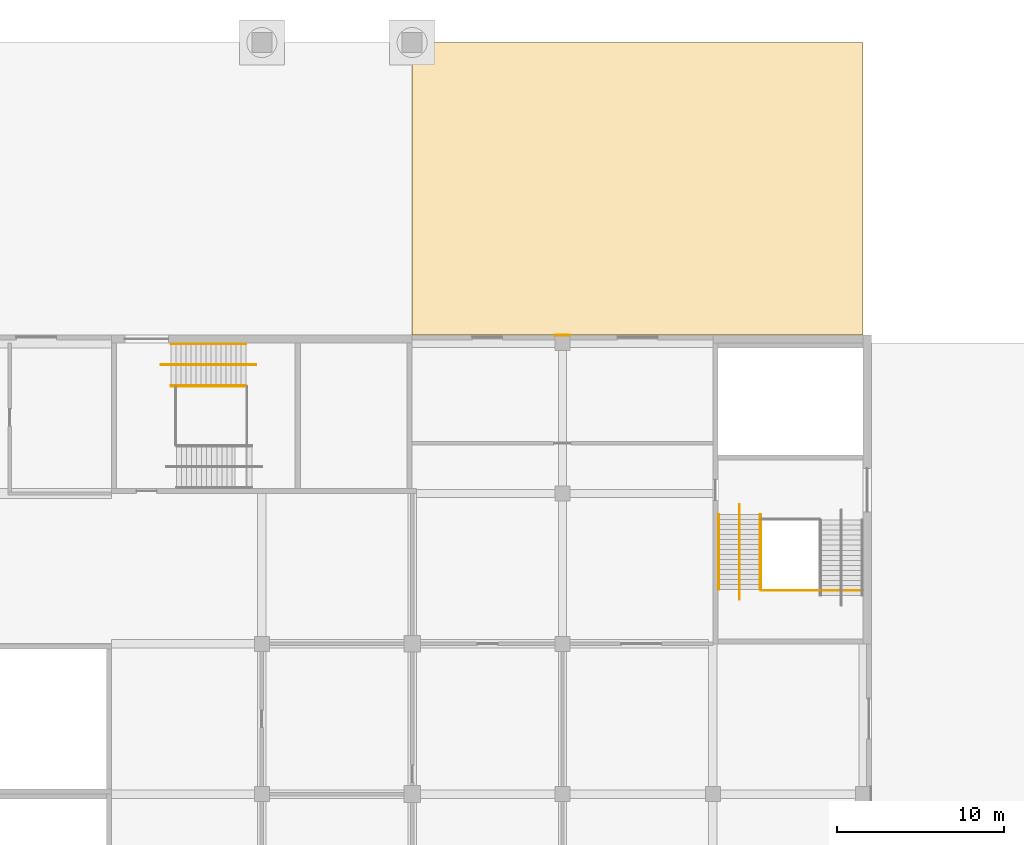
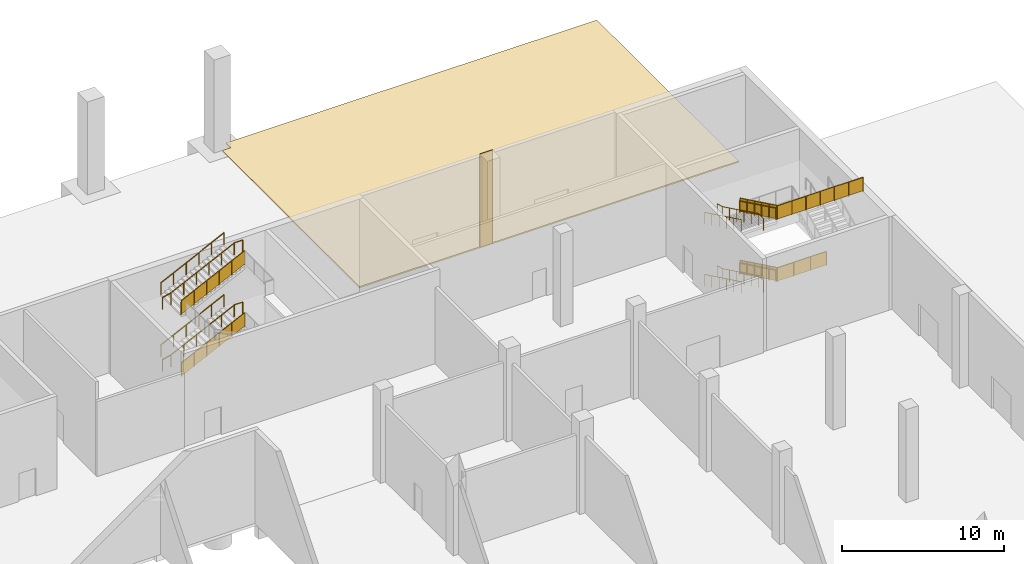
# One storey, part 90 of 92: 17 railings, 2 coverings.
"""IFC4 building model written with IfcOpenShell, lengths in metres."""

from ifc_helpers import new_model, si_unit, direction, frame, origin, origin_2d, place, context, subcontext, project, spatial, polyline, circle, outline, extrude, material, layer, layer_set, type_object, element, save


model = new_model("IFC4")

# Units and contexts
model_context = context("Model", 3, precision=1e-05, world=origin(), true_north=direction((0.0, 1.0)))
body_context = subcontext(model_context, "Body", "Model", "MODEL_VIEW")
ifc_project = project(units=[si_unit("LENGTHUNIT", "METRE"), si_unit("AREAUNIT", "SQUARE_METRE"), si_unit("VOLUMEUNIT", "CUBIC_METRE"), si_unit("PLANEANGLEUNIT", "RADIAN"), si_unit("MASSUNIT", "GRAM", prefix="KILO")], contexts=[model_context])

# Site, building, storey
site_placement = place(None, origin())
site = spatial("IfcSite", under=ifc_project, at=site_placement, CompositionType="ELEMENT")
building_placement = place(site_placement, origin())
building = spatial("IfcBuilding", under=site, at=building_placement, Name="Silverbay Arena", CompositionType="ELEMENT")
storey_placement = place(building_placement, origin())
storey = spatial("IfcBuildingStorey", under=building, at=storey_placement, Name="L00", CompositionType="ELEMENT", Elevation=0.0)

# Coverings
ifc_material_1 = material(Name="Aluminium composite cladding", Category="aluminium")
ifc_layer_1 = layer(ifc_material_1, 0.050048828125)
ifc_layer_set_1 = layer_set([ifc_layer_1], Name="Aluminium composite cladding")
covering_type_1 = type_object("IfcCoveringType", Name="Column cladding 50", PredefinedType="CLADDING", material=ifc_layer_set_1)
covering_1_placement = place(storey_placement, origin())
element("IfcCovering", 1, at=covering_1_placement, inside=storey, type_object=covering_type_1, Name="North column cladding L00 74", PredefinedType="CLADDING", context=body_context, shape_type="SweptSolid", body=[
    extrude(outline(polyline([(215.550048828125, 144.449951171875), (216.449951171875, 144.449951171875), (216.449951171875, 144.5), (215.550048828125, 144.5), (215.550048828125, 144.449951171875)])), origin(), (0.0, 0.0, 1.0), 7.0),
])
ifc_material_2 = material(Name="Granite paving slabs", Category="masonry")
ifc_layer_2 = layer(ifc_material_2, 0.10009765625)
ifc_layer_set_2 = layer_set([ifc_layer_2], Name="Granite paving slabs")
covering_type_2 = type_object("IfcCoveringType", Name="Granite paving 100", PredefinedType="FLOORING", material=ifc_layer_set_2)
covering_2_placement = place(storey_placement, frame((0.0, 0.0, -0.10009765625)))
element("IfcCovering", 2, at=covering_2_placement, inside=storey, type_object=covering_type_2, Name="Paving north colonnade court", PredefinedType="FLOORING", context=body_context, shape_type="SweptSolid", body=[
    extrude(outline(polyline([(234.0, 162.0), (234.0, 144.5), (207.0, 144.5), (207.0, 161.39990234375), (207.60009765625, 161.39990234375), (207.60009765625, 162.0), (234.0, 162.0)])), origin(), (0.0, 0.0, 1.0), 0.10009765625),
])

# Railings
ifc_material_3 = material(Name="Stainless steel", Category="steel")
railing_type_1 = type_object("IfcRailingType", Name="Stair guard 1100", PredefinedType="GUARDRAIL", material=ifc_material_3)
railing_1_placement = place(storey_placement, frame((192.556884765625, 141.425048828125, 0.145751953125)))
element("IfcRailing", 3, at=railing_1_placement, inside=storey, type_object=railing_type_1, Name="Stair ST-N6 L00 to L01 flight 1 guard left", PredefinedType="GUARDRAIL", context=body_context, shape_type="SweptSolid", body=[
    extrude(circle(Radius=0.02392578125, at=origin_2d()), frame((0.0, 0.0, 1.076171875), z_axis=(0.899367854138, 0.0, 0.437192706873), x_axis=(0.0, 1.0, 0.0)), (0.0, 0.0, 1.0), 5.00341796875),
    extrude(outline(polyline([(-0.008056640625, 0.046142578125), (0.907958984375, 0.491455078125), (0.907958984375, 1.494384765625), (-0.008056640625, 1.049072265625), (-0.008056640625, 0.046142578125)])), frame((0.0, 0.0029296875, 0.0), z_axis=(0.0, -1.0, 0.0), x_axis=(1.0, 0.0, 0.0)), (0.0, 0.0, 1.0), 0.006103515625),
    extrude(outline(polyline([(-0.008056640625, 0.483642578125), (0.907958984375, 0.928955078125), (0.907958984375, 1.931884765625), (-0.008056640625, 1.486572265625), (-0.008056640625, 0.483642578125)])), frame((0.89990234375, 0.0029296875, 0.0), z_axis=(0.0, -1.0, 0.0), x_axis=(1.0, 0.0, 0.0)), (0.0, 0.0, 1.0), 0.006103515625),
    extrude(outline(polyline([(-0.008056640625, 0.921142578125), (0.907958984375, 1.366455078125), (0.907958984375, 2.369384765625), (-0.008056640625, 1.924072265625), (-0.008056640625, 0.921142578125)])), frame((1.800048828125, 0.0029296875, 0.0), z_axis=(0.0, -1.0, 0.0), x_axis=(1.0, 0.0, 0.0)), (0.0, 0.0, 1.0), 0.006103515625),
    extrude(outline(polyline([(-0.008056640625, 1.358642578125), (0.907958984375, 1.803955078125), (0.907958984375, 2.806884765625), (-0.008056640625, 2.361572265625), (-0.008056640625, 1.358642578125)])), frame((2.699951171875, 0.0029296875, 0.0), z_axis=(0.0, -1.0, 0.0), x_axis=(1.0, 0.0, 0.0)), (0.0, 0.0, 1.0), 0.006103515625),
    extrude(outline(polyline([(-0.008056640625, 1.796142578125), (0.907958984375, 2.241455078125), (0.907958984375, 3.244384765625), (-0.008056640625, 2.799072265625), (-0.008056640625, 1.796142578125)])), frame((3.60009765625, 0.0029296875, 0.0), z_axis=(0.0, -1.0, 0.0), x_axis=(1.0, 0.0, 0.0)), (0.0, 0.0, 1.0), 0.006103515625),
    extrude(circle(Radius=0.02099609375, at=origin_2d()), origin(), (0.0, 0.0, 1.0), 1.052001953125),
    extrude(circle(Radius=0.02099609375, at=origin_2d()), frame((0.89990234375, 0.0, 0.4375)), (0.0, 0.0, 1.0), 1.052001953125),
    extrude(circle(Radius=0.02099609375, at=origin_2d()), frame((1.800048828125, 0.0, 0.875)), (0.0, 0.0, 1.0), 1.052001953125),
    extrude(circle(Radius=0.02099609375, at=origin_2d()), frame((2.699951171875, 0.0, 1.3125)), (0.0, 0.0, 1.0), 1.052001953125),
    extrude(circle(Radius=0.02099609375, at=origin_2d()), frame((3.60009765625, 0.0, 1.75)), (0.0, 0.0, 1.0), 1.052001953125),
    extrude(circle(Radius=0.02099609375, at=origin_2d()), frame((4.5, 0.0, 2.1875)), (0.0, 0.0, 1.0), 1.052001953125),
])
railing_2_placement = place(storey_placement, frame((192.556884765625, 141.425048828125, 4.8125)))
element("IfcRailing", 4, at=railing_2_placement, inside=storey, type_object=railing_type_1, Name="Stair ST-N6 L00 to L01 flight 3 guard left", PredefinedType="GUARDRAIL", context=body_context, shape_type="SweptSolid", body=[
    extrude(circle(Radius=0.02392578125, at=origin_2d()), frame((0.0, 0.0, 1.076171875), z_axis=(0.899367854138, 0.0, 0.437192706873), x_axis=(0.0, 1.0, 0.0)), (0.0, 0.0, 1.0), 5.00341796875),
    extrude(outline(polyline([(-0.008056640625, 0.046142578125), (0.907958984375, 0.491455078125), (0.907958984375, 1.494384765625), (-0.008056640625, 1.049072265625), (-0.008056640625, 0.046142578125)])), frame((0.0, 0.0029296875, 0.0), z_axis=(0.0, -1.0, 0.0), x_axis=(1.0, 0.0, 0.0)), (0.0, 0.0, 1.0), 0.006103515625),
    extrude(outline(polyline([(-0.008056640625, 0.483642578125), (0.907958984375, 0.928955078125), (0.907958984375, 1.931884765625), (-0.008056640625, 1.486572265625), (-0.008056640625, 0.483642578125)])), frame((0.89990234375, 0.0029296875, 0.0), z_axis=(0.0, -1.0, 0.0), x_axis=(1.0, 0.0, 0.0)), (0.0, 0.0, 1.0), 0.006103515625),
    extrude(outline(polyline([(-0.008056640625, 0.921142578125), (0.907958984375, 1.366455078125), (0.907958984375, 2.369384765625), (-0.008056640625, 1.924072265625), (-0.008056640625, 0.921142578125)])), frame((1.800048828125, 0.0029296875, 0.0), z_axis=(0.0, -1.0, 0.0), x_axis=(1.0, 0.0, 0.0)), (0.0, 0.0, 1.0), 0.006103515625),
    extrude(outline(polyline([(-0.008056640625, 1.358642578125), (0.907958984375, 1.803955078125), (0.907958984375, 2.806884765625), (-0.008056640625, 2.361572265625), (-0.008056640625, 1.358642578125)])), frame((2.699951171875, 0.0029296875, 0.0), z_axis=(0.0, -1.0, 0.0), x_axis=(1.0, 0.0, 0.0)), (0.0, 0.0, 1.0), 0.006103515625),
    extrude(outline(polyline([(-0.008056640625, 1.796142578125), (0.907958984375, 2.241455078125), (0.907958984375, 3.244384765625), (-0.008056640625, 2.799072265625), (-0.008056640625, 1.796142578125)])), frame((3.60009765625, 0.0029296875, 0.0), z_axis=(0.0, -1.0, 0.0), x_axis=(1.0, 0.0, 0.0)), (0.0, 0.0, 1.0), 0.006103515625),
    extrude(circle(Radius=0.02099609375, at=origin_2d()), origin(), (0.0, 0.0, 1.0), 1.052001953125),
    extrude(circle(Radius=0.02099609375, at=origin_2d()), frame((0.89990234375, 0.0, 0.4375)), (0.0, 0.0, 1.0), 1.052001953125),
    extrude(circle(Radius=0.02099609375, at=origin_2d()), frame((1.800048828125, 0.0, 0.875)), (0.0, 0.0, 1.0), 1.052001953125),
    extrude(circle(Radius=0.02099609375, at=origin_2d()), frame((2.699951171875, 0.0, 1.3125)), (0.0, 0.0, 1.0), 1.052001953125),
    extrude(circle(Radius=0.02099609375, at=origin_2d()), frame((3.60009765625, 0.0, 1.75)), (0.0, 0.0, 1.0), 1.052001953125),
    extrude(circle(Radius=0.02099609375, at=origin_2d()), frame((4.5, 0.0, 2.1875)), (0.0, 0.0, 1.0), 1.052001953125),
])
railing_3_placement = place(storey_placement, frame((227.875, 133.7431640625, 0.145751953125)))
element("IfcRailing", 5, at=railing_3_placement, inside=storey, type_object=railing_type_1, Name="Stair ST-EG2 L00 to L01 flight 1 guard right", PredefinedType="GUARDRAIL", context=body_context, shape_type="SweptSolid", body=[
    extrude(circle(Radius=0.02392578125, at=origin_2d()), frame((0.0, 0.0, 1.076171875), z_axis=(0.0, -0.899367854138, 0.437192706873), x_axis=(1.0, 0.0, 0.0)), (0.0, 0.0, 1.0), 5.00341796875),
    extrude(outline(polyline([(-0.008056640625, 0.046142578125), (0.907958984375, 0.491455078125), (0.907958984375, 1.494384765625), (-0.008056640625, 1.049072265625), (-0.008056640625, 0.046142578125)])), frame((0.0029296875, 0.0, 0.0), z_axis=(-1.0, 0.0, 0.0), x_axis=(0.0, -1.0, 0.0)), (0.0, 0.0, 1.0), 0.006103515625),
    extrude(outline(polyline([(-0.008056640625, 0.483642578125), (0.907958984375, 0.928955078125), (0.907958984375, 1.931884765625), (-0.008056640625, 1.486572265625), (-0.008056640625, 0.483642578125)])), frame((0.0029296875, -0.89990234375, 0.0), z_axis=(-1.0, 0.0, 0.0), x_axis=(0.0, -1.0, 0.0)), (0.0, 0.0, 1.0), 0.006103515625),
    extrude(outline(polyline([(-0.008056640625, 0.921142578125), (0.907958984375, 1.366455078125), (0.907958984375, 2.369384765625), (-0.008056640625, 1.924072265625), (-0.008056640625, 0.921142578125)])), frame((0.0029296875, -1.800048828125, 0.0), z_axis=(-1.0, 0.0, 0.0), x_axis=(0.0, -1.0, 0.0)), (0.0, 0.0, 1.0), 0.006103515625),
    extrude(outline(polyline([(-0.008056640625, 1.358642578125), (0.907958984375, 1.803955078125), (0.907958984375, 2.806884765625), (-0.008056640625, 2.361572265625), (-0.008056640625, 1.358642578125)])), frame((0.0029296875, -2.699951171875, 0.0), z_axis=(-1.0, 0.0, 0.0), x_axis=(0.0, -1.0, 0.0)), (0.0, 0.0, 1.0), 0.006103515625),
    extrude(outline(polyline([(-0.008056640625, 1.796142578125), (0.907958984375, 2.241455078125), (0.907958984375, 3.244384765625), (-0.008056640625, 2.799072265625), (-0.008056640625, 1.796142578125)])), frame((0.0029296875, -3.60009765625, 0.0), z_axis=(-1.0, 0.0, 0.0), x_axis=(0.0, -1.0, 0.0)), (0.0, 0.0, 1.0), 0.006103515625),
    extrude(circle(Radius=0.02099609375, at=origin_2d()), origin(), (0.0, 0.0, 1.0), 1.052001953125),
    extrude(circle(Radius=0.02099609375, at=origin_2d()), frame((0.0, -0.89990234375, 0.4375)), (0.0, 0.0, 1.0), 1.052001953125),
    extrude(circle(Radius=0.02099609375, at=origin_2d()), frame((0.0, -1.800048828125, 0.875)), (0.0, 0.0, 1.0), 1.052001953125),
    extrude(circle(Radius=0.02099609375, at=origin_2d()), frame((0.0, -2.699951171875, 1.3125)), (0.0, 0.0, 1.0), 1.052001953125),
    extrude(circle(Radius=0.02099609375, at=origin_2d()), frame((0.0, -3.60009765625, 1.75)), (0.0, 0.0, 1.0), 1.052001953125),
    extrude(circle(Radius=0.02099609375, at=origin_2d()), frame((0.0, -4.5, 2.1875)), (0.0, 0.0, 1.0), 1.052001953125),
])
railing_4_placement = place(storey_placement, frame((227.875, 133.7431640625, 4.8125)))
element("IfcRailing", 6, at=railing_4_placement, inside=storey, type_object=railing_type_1, Name="Stair ST-EG2 L00 to L01 flight 3 guard right", PredefinedType="GUARDRAIL", context=body_context, shape_type="SweptSolid", body=[
    extrude(circle(Radius=0.02392578125, at=origin_2d()), frame((0.0, 0.0, 1.076171875), z_axis=(0.0, -0.899367854138, 0.437192706873), x_axis=(1.0, 0.0, 0.0)), (0.0, 0.0, 1.0), 5.00341796875),
    extrude(outline(polyline([(-0.008056640625, 0.046142578125), (0.907958984375, 0.491455078125), (0.907958984375, 1.494384765625), (-0.008056640625, 1.049072265625), (-0.008056640625, 0.046142578125)])), frame((0.0029296875, 0.0, 0.0), z_axis=(-1.0, 0.0, 0.0), x_axis=(0.0, -1.0, 0.0)), (0.0, 0.0, 1.0), 0.006103515625),
    extrude(outline(polyline([(-0.008056640625, 0.483642578125), (0.907958984375, 0.928955078125), (0.907958984375, 1.931884765625), (-0.008056640625, 1.486572265625), (-0.008056640625, 0.483642578125)])), frame((0.0029296875, -0.89990234375, 0.0), z_axis=(-1.0, 0.0, 0.0), x_axis=(0.0, -1.0, 0.0)), (0.0, 0.0, 1.0), 0.006103515625),
    extrude(outline(polyline([(-0.008056640625, 0.921142578125), (0.907958984375, 1.366455078125), (0.907958984375, 2.369384765625), (-0.008056640625, 1.924072265625), (-0.008056640625, 0.921142578125)])), frame((0.0029296875, -1.800048828125, 0.0), z_axis=(-1.0, 0.0, 0.0), x_axis=(0.0, -1.0, 0.0)), (0.0, 0.0, 1.0), 0.006103515625),
    extrude(outline(polyline([(-0.008056640625, 1.358642578125), (0.907958984375, 1.803955078125), (0.907958984375, 2.806884765625), (-0.008056640625, 2.361572265625), (-0.008056640625, 1.358642578125)])), frame((0.0029296875, -2.699951171875, 0.0), z_axis=(-1.0, 0.0, 0.0), x_axis=(0.0, -1.0, 0.0)), (0.0, 0.0, 1.0), 0.006103515625),
    extrude(outline(polyline([(-0.008056640625, 1.796142578125), (0.907958984375, 2.241455078125), (0.907958984375, 3.244384765625), (-0.008056640625, 2.799072265625), (-0.008056640625, 1.796142578125)])), frame((0.0029296875, -3.60009765625, 0.0), z_axis=(-1.0, 0.0, 0.0), x_axis=(0.0, -1.0, 0.0)), (0.0, 0.0, 1.0), 0.006103515625),
    extrude(circle(Radius=0.02099609375, at=origin_2d()), origin(), (0.0, 0.0, 1.0), 1.052001953125),
    extrude(circle(Radius=0.02099609375, at=origin_2d()), frame((0.0, -0.89990234375, 0.4375)), (0.0, 0.0, 1.0), 1.052001953125),
    extrude(circle(Radius=0.02099609375, at=origin_2d()), frame((0.0, -1.800048828125, 0.875)), (0.0, 0.0, 1.0), 1.052001953125),
    extrude(circle(Radius=0.02099609375, at=origin_2d()), frame((0.0, -2.699951171875, 1.3125)), (0.0, 0.0, 1.0), 1.052001953125),
    extrude(circle(Radius=0.02099609375, at=origin_2d()), frame((0.0, -3.60009765625, 1.75)), (0.0, 0.0, 1.0), 1.052001953125),
    extrude(circle(Radius=0.02099609375, at=origin_2d()), frame((0.0, -4.5, 2.1875)), (0.0, 0.0, 1.0), 1.052001953125),
])
railing_5_placement = place(storey_placement, frame((227.89990234375, 129.193115234375, 2.333251953125)))
element("IfcRailing", 7, at=railing_5_placement, inside=storey, type_object=railing_type_1, Name="Stair ST-EG2 L00 to L01 landing 1 guard", PredefinedType="GUARDRAIL", context=body_context, shape_type="SweptSolid", body=[
    extrude(circle(Radius=0.02392578125, at=origin_2d()), frame((0.0, 0.0, 1.076171875), z_axis=(1.0, 0.0, 0.0), x_axis=(0.0, 1.0, 0.0)), (0.0, 0.0, 1.0), 3.5),
    extrude(outline(polyline([(-0.008056640625, 0.050048828125), (1.174560546875, 0.050048828125), (1.174560546875, 1.052978515625), (-0.008056640625, 1.052978515625), (-0.008056640625, 0.050048828125)])), frame((0.0, 0.0029296875, 0.0), z_axis=(0.0, -1.0, 0.0), x_axis=(1.0, 0.0, 0.0)), (0.0, 0.0, 1.0), 0.006103515625),
    extrude(outline(polyline([(-0.008056640625, 0.050048828125), (1.174560546875, 0.050048828125), (1.174560546875, 1.052978515625), (-0.008056640625, 1.052978515625), (-0.008056640625, 0.050048828125)])), frame((1.166748046875, 0.0029296875, 0.0), z_axis=(0.0, -1.0, 0.0), x_axis=(1.0, 0.0, 0.0)), (0.0, 0.0, 1.0), 0.006103515625),
    extrude(outline(polyline([(-0.008056640625, 0.050048828125), (1.174560546875, 0.050048828125), (1.174560546875, 1.052978515625), (-0.008056640625, 1.052978515625), (-0.008056640625, 0.050048828125)])), frame((2.333251953125, 0.0029296875, 0.0), z_axis=(0.0, -1.0, 0.0), x_axis=(1.0, 0.0, 0.0)), (0.0, 0.0, 1.0), 0.006103515625),
    extrude(circle(Radius=0.02099609375, at=origin_2d()), origin(), (0.0, 0.0, 1.0), 1.052001953125),
    extrude(circle(Radius=0.02099609375, at=origin_2d()), frame((1.166748046875, 0.0, 0.0)), (0.0, 0.0, 1.0), 1.052001953125),
    extrude(circle(Radius=0.02099609375, at=origin_2d()), frame((2.333251953125, 0.0, 0.0)), (0.0, 0.0, 1.0), 1.052001953125),
    extrude(circle(Radius=0.02099609375, at=origin_2d()), frame((3.5, 0.0, 0.0)), (0.0, 0.0, 1.0), 1.052001953125),
])
railing_6_placement = place(storey_placement, frame((227.89990234375, 129.193115234375, 7.0)))
element("IfcRailing", 8, at=railing_6_placement, inside=storey, type_object=railing_type_1, Name="Stair ST-EG2 L00 to L01 landing 3 guard", PredefinedType="GUARDRAIL", context=body_context, shape_type="SweptSolid", body=[
    extrude(circle(Radius=0.02392578125, at=origin_2d()), frame((0.0, 0.0, 1.076171875), z_axis=(1.0, 0.0, 0.0), x_axis=(0.0, 1.0, 0.0)), (0.0, 0.0, 1.0), 6.10009765625),
    extrude(outline(polyline([(-0.008056640625, 0.050048828125), (1.024658203125, 0.050048828125), (1.024658203125, 1.052978515625), (-0.008056640625, 1.052978515625), (-0.008056640625, 0.050048828125)])), frame((0.0, 0.0029296875, 0.0), z_axis=(0.0, -1.0, 0.0), x_axis=(1.0, 0.0, 0.0)), (0.0, 0.0, 1.0), 0.006103515625),
    extrude(outline(polyline([(-0.008056640625, 0.050048828125), (1.024658203125, 0.050048828125), (1.024658203125, 1.052978515625), (-0.008056640625, 1.052978515625), (-0.008056640625, 0.050048828125)])), frame((1.0166015625, 0.0029296875, 0.0), z_axis=(0.0, -1.0, 0.0), x_axis=(1.0, 0.0, 0.0)), (0.0, 0.0, 1.0), 0.006103515625),
    extrude(outline(polyline([(-0.008056640625, 0.050048828125), (1.024658203125, 0.050048828125), (1.024658203125, 1.052978515625), (-0.008056640625, 1.052978515625), (-0.008056640625, 0.050048828125)])), frame((2.033447265625, 0.0029296875, 0.0), z_axis=(0.0, -1.0, 0.0), x_axis=(1.0, 0.0, 0.0)), (0.0, 0.0, 1.0), 0.006103515625),
    extrude(outline(polyline([(-0.008056640625, 0.050048828125), (1.024658203125, 0.050048828125), (1.024658203125, 1.052978515625), (-0.008056640625, 1.052978515625), (-0.008056640625, 0.050048828125)])), frame((3.050048828125, 0.0029296875, 0.0), z_axis=(0.0, -1.0, 0.0), x_axis=(1.0, 0.0, 0.0)), (0.0, 0.0, 1.0), 0.006103515625),
    extrude(outline(polyline([(-0.008056640625, 0.050048828125), (1.024658203125, 0.050048828125), (1.024658203125, 1.052978515625), (-0.008056640625, 1.052978515625), (-0.008056640625, 0.050048828125)])), frame((4.066650390625, 0.0029296875, 0.0), z_axis=(0.0, -1.0, 0.0), x_axis=(1.0, 0.0, 0.0)), (0.0, 0.0, 1.0), 0.006103515625),
    extrude(outline(polyline([(-0.008056640625, 0.050048828125), (1.024658203125, 0.050048828125), (1.024658203125, 1.052978515625), (-0.008056640625, 1.052978515625), (-0.008056640625, 0.050048828125)])), frame((5.08349609375, 0.0029296875, 0.0), z_axis=(0.0, -1.0, 0.0), x_axis=(1.0, 0.0, 0.0)), (0.0, 0.0, 1.0), 0.006103515625),
    extrude(circle(Radius=0.02099609375, at=origin_2d()), origin(), (0.0, 0.0, 1.0), 1.052001953125),
    extrude(circle(Radius=0.02099609375, at=origin_2d()), frame((1.0166015625, 0.0, 0.0)), (0.0, 0.0, 1.0), 1.052001953125),
    extrude(circle(Radius=0.02099609375, at=origin_2d()), frame((2.033447265625, 0.0, 0.0)), (0.0, 0.0, 1.0), 1.052001953125),
    extrude(circle(Radius=0.02099609375, at=origin_2d()), frame((3.050048828125, 0.0, 0.0)), (0.0, 0.0, 1.0), 1.052001953125),
    extrude(circle(Radius=0.02099609375, at=origin_2d()), frame((4.066650390625, 0.0, 0.0)), (0.0, 0.0, 1.0), 1.052001953125),
    extrude(circle(Radius=0.02099609375, at=origin_2d()), frame((5.08349609375, 0.0, 0.0)), (0.0, 0.0, 1.0), 1.052001953125),
    extrude(circle(Radius=0.02099609375, at=origin_2d()), frame((6.10009765625, 0.0, 0.0)), (0.0, 0.0, 1.0), 1.052001953125),
])
ifc_material_4 = material(Name="Stainless steel", Category="steel")
railing_type_2 = type_object("IfcRailingType", Name="Stair handrail 900", PredefinedType="HANDRAIL", material=ifc_material_4)
railing_7_placement = place(storey_placement, frame((192.556884765625, 143.949951171875, 0.145751953125)))
element("IfcRailing", 9, at=railing_7_placement, inside=storey, type_object=railing_type_2, Name="Stair ST-N6 L00 to L01 flight 1 handrail right", PredefinedType="HANDRAIL", context=body_context, shape_type="SweptSolid", body=[
    extrude(circle(Radius=0.02392578125, at=origin_2d()), frame((0.0, 0.0, 0.8759765625), z_axis=(0.899367854138, 0.0, 0.437192706873), x_axis=(0.0, 1.0, 0.0)), (0.0, 0.0, 1.0), 5.00341796875),
    extrude(circle(Radius=0.02099609375, at=origin_2d()), origin(), (0.0, 0.0, 1.0), 0.851806640625),
    extrude(circle(Radius=0.02099609375, at=origin_2d()), frame((0.89990234375, 0.0, 0.4375)), (0.0, 0.0, 1.0), 0.851806640625),
    extrude(circle(Radius=0.02099609375, at=origin_2d()), frame((1.800048828125, 0.0, 0.875)), (0.0, 0.0, 1.0), 0.851806640625),
    extrude(circle(Radius=0.02099609375, at=origin_2d()), frame((2.699951171875, 0.0, 1.3125)), (0.0, 0.0, 1.0), 0.851806640625),
    extrude(circle(Radius=0.02099609375, at=origin_2d()), frame((3.60009765625, 0.0, 1.75)), (0.0, 0.0, 1.0), 0.851806640625),
    extrude(circle(Radius=0.02099609375, at=origin_2d()), frame((4.5, 0.0, 2.1875)), (0.0, 0.0, 1.0), 0.851806640625),
])
railing_8_placement = place(storey_placement, frame((191.956787109375, 142.699951171875, 0.0)))
element("IfcRailing", 10, at=railing_8_placement, inside=storey, type_object=railing_type_2, Name="Stair ST-N6 L00 to L01 flight 1 central handrail", PredefinedType="HANDRAIL", context=body_context, shape_type="SweptSolid", body=[
    extrude(circle(Radius=0.02392578125, at=origin_2d()), frame((0.0, 0.0, 0.8759765625), z_axis=(0.971748522905, 0.0, 0.236018660771), x_axis=(0.0, 1.0, 0.0)), (0.0, 0.0, 1.0), 0.617431640625),
    extrude(circle(Radius=0.02392578125, at=origin_2d()), frame((0.60009765625, 0.0, 1.021484375), z_axis=(0.899367854138, 0.0, 0.437192706873), x_axis=(0.0, 1.0, 0.0)), (0.0, 0.0, 1.0), 5.00341796875),
    extrude(circle(Radius=0.02392578125, at=origin_2d()), frame((5.10009765625, 0.0, 3.208984375), z_axis=(1.0, 0.0, 0.0), x_axis=(0.0, 1.0, 0.0)), (0.0, 0.0, 1.0), 0.60009765625),
    extrude(circle(Radius=0.02099609375, at=origin_2d()), origin(), (0.0, 0.0, 1.0), 0.851806640625),
    extrude(circle(Radius=0.02099609375, at=origin_2d()), frame((0.60009765625, 0.0, 0.145751953125)), (0.0, 0.0, 1.0), 0.851806640625),
    extrude(circle(Radius=0.02099609375, at=origin_2d()), frame((1.5, 0.0, 0.583251953125)), (0.0, 0.0, 1.0), 0.851806640625),
    extrude(circle(Radius=0.02099609375, at=origin_2d()), frame((2.400146484375, 0.0, 1.020751953125)), (0.0, 0.0, 1.0), 0.851806640625),
    extrude(circle(Radius=0.02099609375, at=origin_2d()), frame((3.300048828125, 0.0, 1.458251953125)), (0.0, 0.0, 1.0), 0.851806640625),
    extrude(circle(Radius=0.02099609375, at=origin_2d()), frame((4.2001953125, 0.0, 1.895751953125)), (0.0, 0.0, 1.0), 0.851806640625),
    extrude(circle(Radius=0.02099609375, at=origin_2d()), frame((5.10009765625, 0.0, 2.333251953125)), (0.0, 0.0, 1.0), 0.851806640625),
    extrude(circle(Radius=0.02099609375, at=origin_2d()), frame((5.7001953125, 0.0, 2.333251953125)), (0.0, 0.0, 1.0), 0.851806640625),
])
for number, where, name in (
    (11, (192.556884765625, 141.464111328125, 4.8125), "Stair ST-N6 L00 to L01 flight 3 handrail left"),
    (12, (192.556884765625, 143.949951171875, 4.8125), "Stair ST-N6 L00 to L01 flight 3 handrail right"),
):
    element("IfcRailing", number, at=place(storey_placement, frame(where)), inside=storey, type_object=railing_type_2, Name=name, PredefinedType="HANDRAIL", context=body_context, shape_type="SweptSolid", body=[
        extrude(circle(Radius=0.02392578125, at=origin_2d()), frame((0.0, 0.0, 0.8759765625), z_axis=(0.899367854138, 0.0, 0.437192706873), x_axis=(0.0, 1.0, 0.0)), (0.0, 0.0, 1.0), 5.00341796875),
        extrude(circle(Radius=0.02099609375, at=origin_2d()), origin(), (0.0, 0.0, 1.0), 0.851806640625),
        extrude(circle(Radius=0.02099609375, at=origin_2d()), frame((0.89990234375, 0.0, 0.4375)), (0.0, 0.0, 1.0), 0.851806640625),
        extrude(circle(Radius=0.02099609375, at=origin_2d()), frame((1.800048828125, 0.0, 0.875)), (0.0, 0.0, 1.0), 0.851806640625),
        extrude(circle(Radius=0.02099609375, at=origin_2d()), frame((2.699951171875, 0.0, 1.3125)), (0.0, 0.0, 1.0), 0.851806640625),
        extrude(circle(Radius=0.02099609375, at=origin_2d()), frame((3.60009765625, 0.0, 1.75)), (0.0, 0.0, 1.0), 0.851806640625),
        extrude(circle(Radius=0.02099609375, at=origin_2d()), frame((4.5, 0.0, 2.1875)), (0.0, 0.0, 1.0), 0.851806640625),
    ])
railing_9_placement = place(storey_placement, frame((191.956787109375, 142.699951171875, 4.666748046875)))
element("IfcRailing", 13, at=railing_9_placement, inside=storey, type_object=railing_type_2, Name="Stair ST-N6 L00 to L01 flight 3 central handrail", PredefinedType="HANDRAIL", context=body_context, shape_type="SweptSolid", body=[
    extrude(circle(Radius=0.02392578125, at=origin_2d()), frame((0.0, 0.0, 0.8759765625), z_axis=(0.971748522905, 0.0, 0.236018660771), x_axis=(0.0, 1.0, 0.0)), (0.0, 0.0, 1.0), 0.617431640625),
    extrude(circle(Radius=0.02392578125, at=origin_2d()), frame((0.60009765625, 0.0, 1.021484375), z_axis=(0.899367854138, 0.0, 0.437192706873), x_axis=(0.0, 1.0, 0.0)), (0.0, 0.0, 1.0), 5.00341796875),
    extrude(circle(Radius=0.02392578125, at=origin_2d()), frame((5.10009765625, 0.0, 3.208984375), z_axis=(1.0, 0.0, 0.0), x_axis=(0.0, 1.0, 0.0)), (0.0, 0.0, 1.0), 0.60009765625),
    extrude(circle(Radius=0.02099609375, at=origin_2d()), origin(), (0.0, 0.0, 1.0), 0.851806640625),
    extrude(circle(Radius=0.02099609375, at=origin_2d()), frame((0.60009765625, 0.0, 0.145751953125)), (0.0, 0.0, 1.0), 0.851806640625),
    extrude(circle(Radius=0.02099609375, at=origin_2d()), frame((1.5, 0.0, 0.583251953125)), (0.0, 0.0, 1.0), 0.851806640625),
    extrude(circle(Radius=0.02099609375, at=origin_2d()), frame((2.400146484375, 0.0, 1.020751953125)), (0.0, 0.0, 1.0), 0.851806640625),
    extrude(circle(Radius=0.02099609375, at=origin_2d()), frame((3.300048828125, 0.0, 1.458251953125)), (0.0, 0.0, 1.0), 0.851806640625),
    extrude(circle(Radius=0.02099609375, at=origin_2d()), frame((4.2001953125, 0.0, 1.895751953125)), (0.0, 0.0, 1.0), 0.851806640625),
    extrude(circle(Radius=0.02099609375, at=origin_2d()), frame((5.10009765625, 0.0, 2.333251953125)), (0.0, 0.0, 1.0), 0.851806640625),
    extrude(circle(Radius=0.02099609375, at=origin_2d()), frame((5.7001953125, 0.0, 2.333251953125)), (0.0, 0.0, 1.0), 0.851806640625),
])
for number, where, name in (
    (14, (225.35009765625, 133.7431640625, 0.145751953125), "Stair ST-EG2 L00 to L01 flight 1 handrail left"),
    (15, (227.8359375, 133.7431640625, 0.145751953125), "Stair ST-EG2 L00 to L01 flight 1 handrail right"),
):
    element("IfcRailing", number, at=place(storey_placement, frame(where)), inside=storey, type_object=railing_type_2, Name=name, PredefinedType="HANDRAIL", context=body_context, shape_type="SweptSolid", body=[
        extrude(circle(Radius=0.02392578125, at=origin_2d()), frame((0.0, 0.0, 0.8759765625), z_axis=(0.0, -0.899367854138, 0.437192706873), x_axis=(1.0, 0.0, 0.0)), (0.0, 0.0, 1.0), 5.00341796875),
        extrude(circle(Radius=0.02099609375, at=origin_2d()), origin(), (0.0, 0.0, 1.0), 0.851806640625),
        extrude(circle(Radius=0.02099609375, at=origin_2d()), frame((0.0, -0.89990234375, 0.4375)), (0.0, 0.0, 1.0), 0.851806640625),
        extrude(circle(Radius=0.02099609375, at=origin_2d()), frame((0.0, -1.800048828125, 0.875)), (0.0, 0.0, 1.0), 0.851806640625),
        extrude(circle(Radius=0.02099609375, at=origin_2d()), frame((0.0, -2.699951171875, 1.3125)), (0.0, 0.0, 1.0), 0.851806640625),
        extrude(circle(Radius=0.02099609375, at=origin_2d()), frame((0.0, -3.60009765625, 1.75)), (0.0, 0.0, 1.0), 0.851806640625),
        extrude(circle(Radius=0.02099609375, at=origin_2d()), frame((0.0, -4.5, 2.1875)), (0.0, 0.0, 1.0), 0.851806640625),
    ])
railing_10_placement = place(storey_placement, frame((226.60009765625, 134.343017578125, 0.0)))
element("IfcRailing", 16, at=railing_10_placement, inside=storey, type_object=railing_type_2, Name="Stair ST-EG2 L00 to L01 flight 1 central handrail", PredefinedType="HANDRAIL", context=body_context, shape_type="SweptSolid", body=[
    extrude(circle(Radius=0.02392578125, at=origin_2d()), frame((0.0, 0.0, 0.8759765625), z_axis=(0.0, -0.971726487806, 0.23610936639), x_axis=(1.0, 0.0, 0.0)), (0.0, 0.0, 1.0), 0.6171875),
    extrude(circle(Radius=0.02392578125, at=origin_2d()), frame((0.0, -0.599853515625, 1.021484375), z_axis=(0.0, -0.899367854138, 0.437192706873), x_axis=(1.0, 0.0, 0.0)), (0.0, 0.0, 1.0), 5.00341796875),
    extrude(circle(Radius=0.02392578125, at=origin_2d()), frame((0.0, -5.099853515625, 3.208984375), z_axis=(0.0, -1.0, 0.0), x_axis=(1.0, 0.0, 0.0)), (0.0, 0.0, 1.0), 0.60009765625),
    extrude(circle(Radius=0.02099609375, at=origin_2d()), origin(), (0.0, 0.0, 1.0), 0.851806640625),
    extrude(circle(Radius=0.02099609375, at=origin_2d()), frame((0.0, -0.599853515625, 0.145751953125)), (0.0, 0.0, 1.0), 0.851806640625),
    extrude(circle(Radius=0.02099609375, at=origin_2d()), frame((0.0, -1.499755859375, 0.583251953125)), (0.0, 0.0, 1.0), 0.851806640625),
    extrude(circle(Radius=0.02099609375, at=origin_2d()), frame((0.0, -2.39990234375, 1.020751953125)), (0.0, 0.0, 1.0), 0.851806640625),
    extrude(circle(Radius=0.02099609375, at=origin_2d()), frame((0.0, -3.2998046875, 1.458251953125)), (0.0, 0.0, 1.0), 0.851806640625),
    extrude(circle(Radius=0.02099609375, at=origin_2d()), frame((0.0, -4.199951171875, 1.895751953125)), (0.0, 0.0, 1.0), 0.851806640625),
    extrude(circle(Radius=0.02099609375, at=origin_2d()), frame((0.0, -5.099853515625, 2.333251953125)), (0.0, 0.0, 1.0), 0.851806640625),
    extrude(circle(Radius=0.02099609375, at=origin_2d()), frame((0.0, -5.699951171875, 2.333251953125)), (0.0, 0.0, 1.0), 0.851806640625),
])
for number, where, name in (
    (17, (225.35009765625, 133.7431640625, 4.8125), "Stair ST-EG2 L00 to L01 flight 3 handrail left"),
    (18, (227.8359375, 133.7431640625, 4.8125), "Stair ST-EG2 L00 to L01 flight 3 handrail right"),
):
    element("IfcRailing", number, at=place(storey_placement, frame(where)), inside=storey, type_object=railing_type_2, Name=name, PredefinedType="HANDRAIL", context=body_context, shape_type="SweptSolid", body=[
        extrude(circle(Radius=0.02392578125, at=origin_2d()), frame((0.0, 0.0, 0.8759765625), z_axis=(0.0, -0.899367854138, 0.437192706873), x_axis=(1.0, 0.0, 0.0)), (0.0, 0.0, 1.0), 5.00341796875),
        extrude(circle(Radius=0.02099609375, at=origin_2d()), origin(), (0.0, 0.0, 1.0), 0.851806640625),
        extrude(circle(Radius=0.02099609375, at=origin_2d()), frame((0.0, -0.89990234375, 0.4375)), (0.0, 0.0, 1.0), 0.851806640625),
        extrude(circle(Radius=0.02099609375, at=origin_2d()), frame((0.0, -1.800048828125, 0.875)), (0.0, 0.0, 1.0), 0.851806640625),
        extrude(circle(Radius=0.02099609375, at=origin_2d()), frame((0.0, -2.699951171875, 1.3125)), (0.0, 0.0, 1.0), 0.851806640625),
        extrude(circle(Radius=0.02099609375, at=origin_2d()), frame((0.0, -3.60009765625, 1.75)), (0.0, 0.0, 1.0), 0.851806640625),
        extrude(circle(Radius=0.02099609375, at=origin_2d()), frame((0.0, -4.5, 2.1875)), (0.0, 0.0, 1.0), 0.851806640625),
    ])
railing_11_placement = place(storey_placement, frame((226.60009765625, 134.343017578125, 4.666748046875)))
element("IfcRailing", 19, at=railing_11_placement, inside=storey, type_object=railing_type_2, Name="Stair ST-EG2 L00 to L01 flight 3 central handrail", PredefinedType="HANDRAIL", context=body_context, shape_type="SweptSolid", body=[
    extrude(circle(Radius=0.02392578125, at=origin_2d()), frame((0.0, 0.0, 0.8759765625), z_axis=(0.0, -0.971726487806, 0.23610936639), x_axis=(1.0, 0.0, 0.0)), (0.0, 0.0, 1.0), 0.6171875),
    extrude(circle(Radius=0.02392578125, at=origin_2d()), frame((0.0, -0.599853515625, 1.021484375), z_axis=(0.0, -0.899367854138, 0.437192706873), x_axis=(1.0, 0.0, 0.0)), (0.0, 0.0, 1.0), 5.00341796875),
    extrude(circle(Radius=0.02392578125, at=origin_2d()), frame((0.0, -5.099853515625, 3.208984375), z_axis=(0.0, -1.0, 0.0), x_axis=(1.0, 0.0, 0.0)), (0.0, 0.0, 1.0), 0.60009765625),
    extrude(circle(Radius=0.02099609375, at=origin_2d()), origin(), (0.0, 0.0, 1.0), 0.851806640625),
    extrude(circle(Radius=0.02099609375, at=origin_2d()), frame((0.0, -0.599853515625, 0.145751953125)), (0.0, 0.0, 1.0), 0.851806640625),
    extrude(circle(Radius=0.02099609375, at=origin_2d()), frame((0.0, -1.499755859375, 0.583251953125)), (0.0, 0.0, 1.0), 0.851806640625),
    extrude(circle(Radius=0.02099609375, at=origin_2d()), frame((0.0, -2.39990234375, 1.020751953125)), (0.0, 0.0, 1.0), 0.851806640625),
    extrude(circle(Radius=0.02099609375, at=origin_2d()), frame((0.0, -3.2998046875, 1.458251953125)), (0.0, 0.0, 1.0), 0.851806640625),
    extrude(circle(Radius=0.02099609375, at=origin_2d()), frame((0.0, -4.199951171875, 1.895751953125)), (0.0, 0.0, 1.0), 0.851806640625),
    extrude(circle(Radius=0.02099609375, at=origin_2d()), frame((0.0, -5.099853515625, 2.333251953125)), (0.0, 0.0, 1.0), 0.851806640625),
    extrude(circle(Radius=0.02099609375, at=origin_2d()), frame((0.0, -5.699951171875, 2.333251953125)), (0.0, 0.0, 1.0), 0.851806640625),
])

save(model, "model.ifc")
